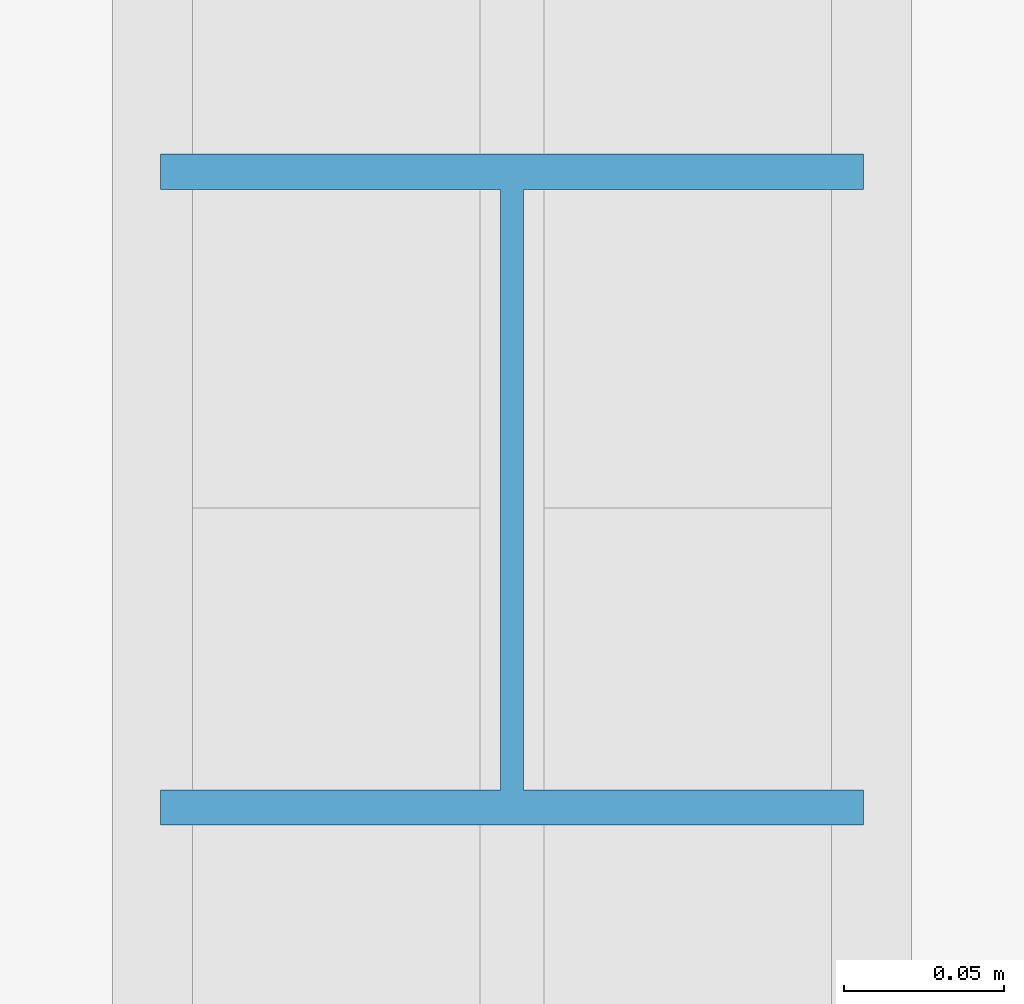
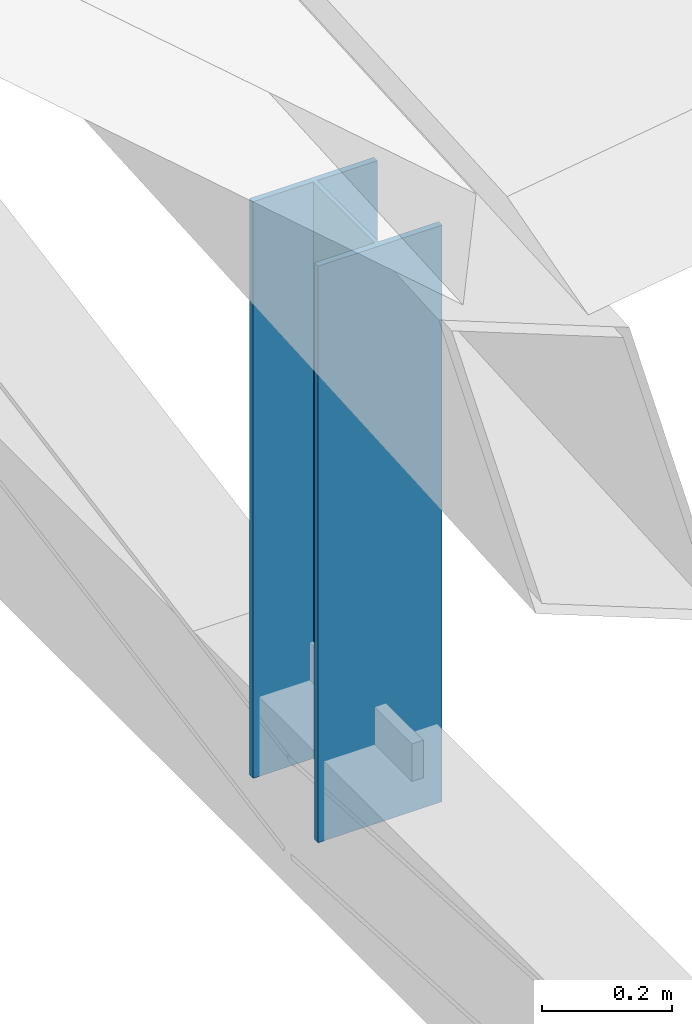
# One storey, part 55 of 142: 1 member.
"""IFC4 building model written with IfcOpenShell, lengths in metres."""

from ifc_helpers import new_model, si_unit, direction, frame, origin, origin_2d, place, context, subcontext, project, spatial, i_section, extrude, material, material_profile, profile_set, type_object, element, save


model = new_model("IFC4")

# Units and contexts
model_context = context("Model", 3, precision=1e-05, world=origin(), true_north=direction((0.0, 1.0)))
body_context = subcontext(model_context, "Body", "Model", "MODEL_VIEW")
ifc_project = project(units=[si_unit("LENGTHUNIT", "METRE"), si_unit("AREAUNIT", "SQUARE_METRE"), si_unit("VOLUMEUNIT", "CUBIC_METRE"), si_unit("PLANEANGLEUNIT", "RADIAN"), si_unit("MASSUNIT", "GRAM", prefix="KILO")], contexts=[model_context])

# Site, building, storey
site_placement = place(None, origin())
site = spatial("IfcSite", under=ifc_project, at=site_placement, CompositionType="ELEMENT")
building_placement = place(site_placement, origin())
building = spatial("IfcBuilding", under=site, at=building_placement, Name="Montelvaro Courts of Justice", CompositionType="ELEMENT")
storey_placement = place(building_placement, frame((0.0, 0.0, 14.39990234375)))
storey = spatial("IfcBuildingStorey", under=building, at=storey_placement, Name="L03", CompositionType="ELEMENT", Elevation=14.39990234375)

# Member
ifc_material = material(Name="Steel S355", Category="steel")
ifc_material_profile = material_profile(ifc_material, i_section(OverallWidth=0.219970703125, OverallDepth=0.2099609375, WebThickness=0.007080078125, FlangeThickness=0.010986328125, at=origin_2d()), Name="HEA 220")
ifc_profile_set = profile_set([ifc_material_profile], Name="Steel S355")
member_type = type_object("IfcMemberType", Name="Mem_HEA220_Post", PredefinedType="POST", material=ifc_profile_set)
member_placement = place(storey_placement, frame((90.0, 60.0, -0.2998046875), z_axis=(0.0, 0.0, 1.0), x_axis=(1.0, 0.0, 0.0)))
element("IfcMember", 1, at=member_placement, inside=storey, type_object=member_type, Name="Roof Truss Post MP-03 ROOF-PASSAGE-VTR05-V2", PredefinedType="POST", context=body_context, shape_type="SweptSolid", body=[
    extrude(i_section(OverallWidth=0.219970703125, OverallDepth=0.2099609375, WebThickness=0.007080078125, FlangeThickness=0.010986328125, at=origin_2d()), origin(), (0.0, 0.0, 1.0), 1.079833984375),
])

save(model, "model.ifc")
